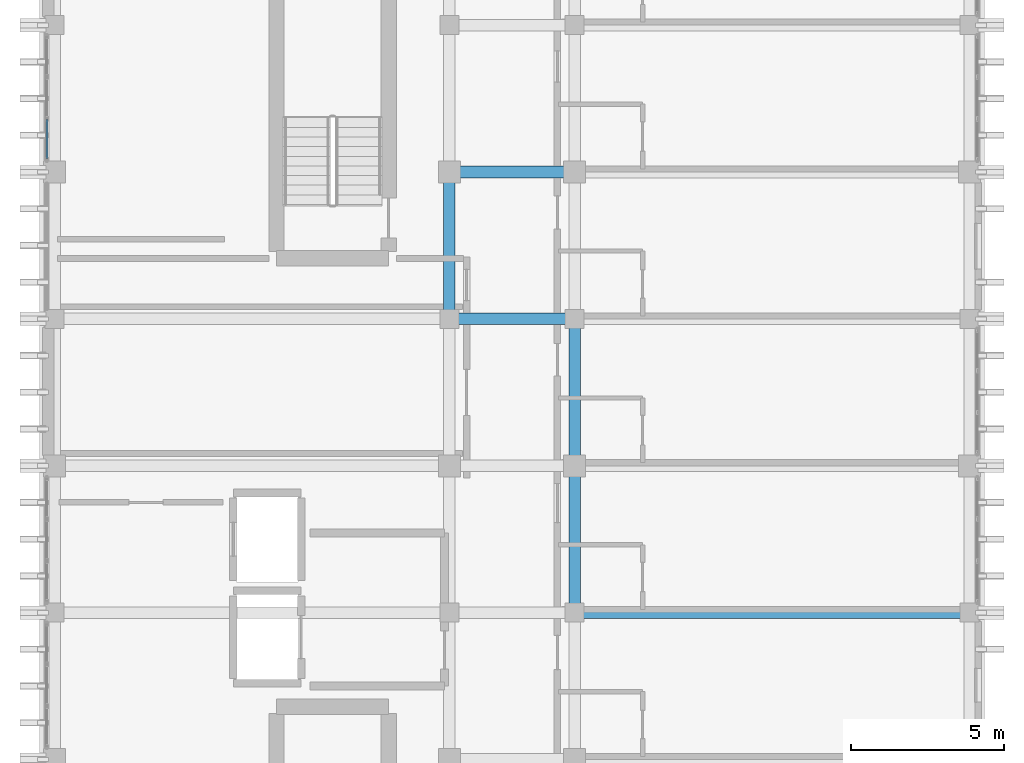
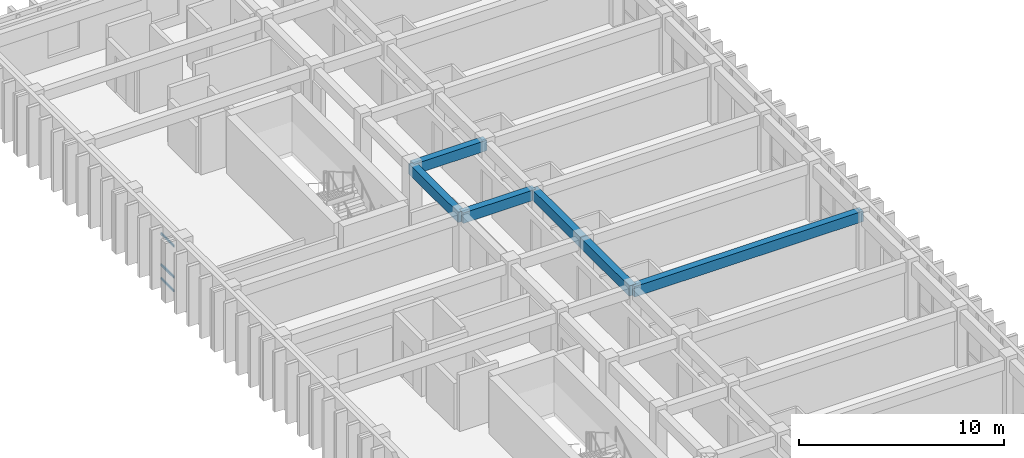
# One storey, part 28 of 59: 6 beams, 3 members, 1 element without a shape of its own.
"""IFC4 building model written with IfcOpenShell, lengths in metres."""

from ifc_helpers import new_model, si_unit, direction, frame, origin, origin_2d, place, context, subcontext, project, spatial, rectangle, hollow_rectangle, extrude, material, layer, layer_set, material_profile, profile_set, type_object, element, aggregate, save


model = new_model("IFC4")

# Units and contexts
model_context = context("Model", 3, precision=1e-05, world=origin(), true_north=direction((0.0, 1.0)))
body_context = subcontext(model_context, "Body", "Model", "MODEL_VIEW")
ifc_project = project(units=[si_unit("LENGTHUNIT", "METRE"), si_unit("AREAUNIT", "SQUARE_METRE"), si_unit("VOLUMEUNIT", "CUBIC_METRE"), si_unit("PLANEANGLEUNIT", "RADIAN"), si_unit("MASSUNIT", "GRAM", prefix="KILO")], contexts=[model_context])

# Site, building, storey
site_placement = place(None, origin())
site = spatial("IfcSite", under=ifc_project, at=site_placement, CompositionType="ELEMENT")
building_placement = place(site_placement, origin())
building = spatial("IfcBuilding", under=site, at=building_placement, Name="Nakhvara Creek Congress Hotel", CompositionType="ELEMENT")
storey_placement = place(building_placement, frame((0.0, 0.0, 31.800048828125)))
storey = spatial("IfcBuildingStorey", under=building, at=storey_placement, Name="L07", CompositionType="ELEMENT", Elevation=31.800048828125)

# Beams
ifc_material_1 = material(Name="Concrete C40/50", Category="concrete")
ifc_material_profile_1 = material_profile(ifc_material_1, rectangle(XDim=0.3798828125, YDim=0.6201171875, at=origin_2d()), Name="RC-BM 380x620", Category="LoadBearing")
ifc_profile_set_1 = profile_set([ifc_material_profile_1], Name="Concrete C40/50")
beam_type = type_object("IfcBeamType", Name="BM-RC-380X620", PredefinedType="BEAM", material=ifc_profile_set_1)
beam_1_placement = place(storey_placement, frame((162.35009765625, 105.60009765625, 3.050048828125), z_axis=(1.0, 0.0, 0.0), x_axis=(0.0, 1.0, 0.0)))
element("IfcBeam", 1, at=beam_1_placement, inside=storey, type_object=beam_type, Name="Beam B10-L07-2358", PredefinedType="BEAM", context=body_context, shape_type="SweptSolid", body=[
    extrude(rectangle(XDim=0.3798828125, YDim=0.6201171875, at=origin_2d()), origin(), (0.0, 0.0, 1.0), 4.099853515625),
])
for number, where, z_axis, x_axis, name in (
    (2, (162.35009765625, 100.800048828125, 3.050048828125), (0.0, 1.0, 0.0), (-1.0, 0.0, 0.0), "Beam B10-L07-2359"),
    (3, (166.449951171875, 91.199951171875, 3.050048828125), (0.0, 1.0, 0.0), (-1.0, 0.0, 0.0), "Beam B10-L07-2381"),
    (4, (166.449951171875, 96.0, 3.050048828125), (0.0, 1.0, 0.0), (-1.0, 0.0, 0.0), "Beam B10-L07-2382"),
):
    element("IfcBeam", number, at=place(storey_placement, frame(where, z_axis=z_axis, x_axis=x_axis)), inside=storey, type_object=beam_type, Name=name, PredefinedType="BEAM", context=body_context, shape_type="SweptSolid", body=[
        extrude(rectangle(XDim=0.3798828125, YDim=0.6201171875, at=origin_2d()), origin(), (0.0, 0.0, 1.0), 4.800048828125),
    ])
beam_2_placement = place(storey_placement, frame((162.35009765625, 100.800048828125, 3.050048828125), z_axis=(1.0, 0.0, 0.0), x_axis=(0.0, 1.0, 0.0)))
element("IfcBeam", 5, at=beam_2_placement, inside=storey, type_object=beam_type, Name="Beam B10-L07-2418", PredefinedType="BEAM", context=body_context, shape_type="SweptSolid", body=[
    extrude(rectangle(XDim=0.3798828125, YDim=0.6201171875, at=origin_2d()), origin(), (0.0, 0.0, 1.0), 4.099853515625),
])
beam_3_placement = place(storey_placement, frame((166.449951171875, 91.199951171875, 3.050048828125), z_axis=(1.0, 0.0, 0.0), x_axis=(0.0, 1.0, 0.0)))
element("IfcBeam", 6, at=beam_3_placement, inside=storey, type_object=beam_type, Name="Beam B10-L07-2425", PredefinedType="BEAM", context=body_context, shape_type="SweptSolid", body=[
    extrude(rectangle(XDim=0.3798828125, YDim=0.6201171875, at=origin_2d()), origin(), (0.0, 0.0, 1.0), 12.900146484375),
])

# Curtain wall, members
ifc_material_2 = material(Name="Bronze-anodised aluminium AW-6063-T6 and double-silver low-E glass", Category="aluminium")
ifc_layer = layer(ifc_material_2, 0.199951171875)
ifc_layer_set = layer_set([ifc_layer], Name="Bronze-anodised aluminium AW-6063-T6 and double-silver low-E glass")
curtain_wall_type = type_object("IfcCurtainWallType", Name="CW-HTL-UNIT", PredefinedType="USERDEFINED", material=ifc_layer_set)
curtain_wall_placement = place(storey_placement, origin())
curtain_wall = element("IfcCurtainWall", 7, at=curtain_wall_placement, inside=storey, type_object=curtain_wall_type, Name="Curtain Wall CW270", ObjectType="UNITISED", PredefinedType="USERDEFINED")
ifc_material_3 = material(Name="Bronze-anodised aluminium AW-6063-T6", Category="aluminium")
ifc_material_profile_2 = material_profile(ifc_material_3, hollow_rectangle(XDim=0.06494140625, YDim=0.1201171875, WallThickness=0.00390625, at=origin_2d()), Name="ALU-TRAN 65x120x4", Category="LoadBearing")
ifc_profile_set_2 = profile_set([ifc_material_profile_2], Name="Bronze-anodised aluminium AW-6063-T6")
member_type = type_object("IfcMemberType", Name="CW-TRAN-120", PredefinedType="USERDEFINED", material=ifc_profile_set_2)
member_1_placement = place(storey_placement, frame((149.199951171875, 106.0400390625, 0.032470703125), z_axis=(0.0, 1.0, 0.0), x_axis=(-1.0, 0.0, 0.0)))
member_1 = element("IfcMember", 8, at=member_1_placement, type_object=member_type, Name="CW270 transom 1.1", ObjectType="TRANSOM", PredefinedType="USERDEFINED", context=body_context, shape_type="SweptSolid", body=[
    extrude(hollow_rectangle(XDim=0.06494140625, YDim=0.1201171875, WallThickness=0.00390625, at=origin_2d()), origin(), (0.0, 0.0, 1.0), 1.26904296875),
])
member_2_placement = place(storey_placement, frame((149.199951171875, 106.0400390625, 0.849853515625), z_axis=(0.0, 1.0, 0.0), x_axis=(-1.0, 0.0, 0.0)))
member_2 = element("IfcMember", 9, at=member_2_placement, type_object=member_type, Name="CW270 transom 1.2", ObjectType="TRANSOM", PredefinedType="USERDEFINED", context=body_context, shape_type="SweptSolid", body=[
    extrude(hollow_rectangle(XDim=0.06494140625, YDim=0.1201171875, WallThickness=0.00390625, at=origin_2d()), origin(), (0.0, 0.0, 1.0), 1.26904296875),
])
member_3_placement = place(storey_placement, frame((149.199951171875, 106.0400390625, 2.699462890625), z_axis=(0.0, 1.0, 0.0), x_axis=(-1.0, 0.0, 0.0)))
member_3 = element("IfcMember", 10, at=member_3_placement, type_object=member_type, Name="CW270 transom 1.3", ObjectType="TRANSOM", PredefinedType="USERDEFINED", context=body_context, shape_type="SweptSolid", body=[
    extrude(hollow_rectangle(XDim=0.06494140625, YDim=0.1201171875, WallThickness=0.00390625, at=origin_2d()), origin(), (0.0, 0.0, 1.0), 1.26904296875),
])
aggregate(curtain_wall, [member_1, member_2, member_3])

save(model, "model.ifc")
